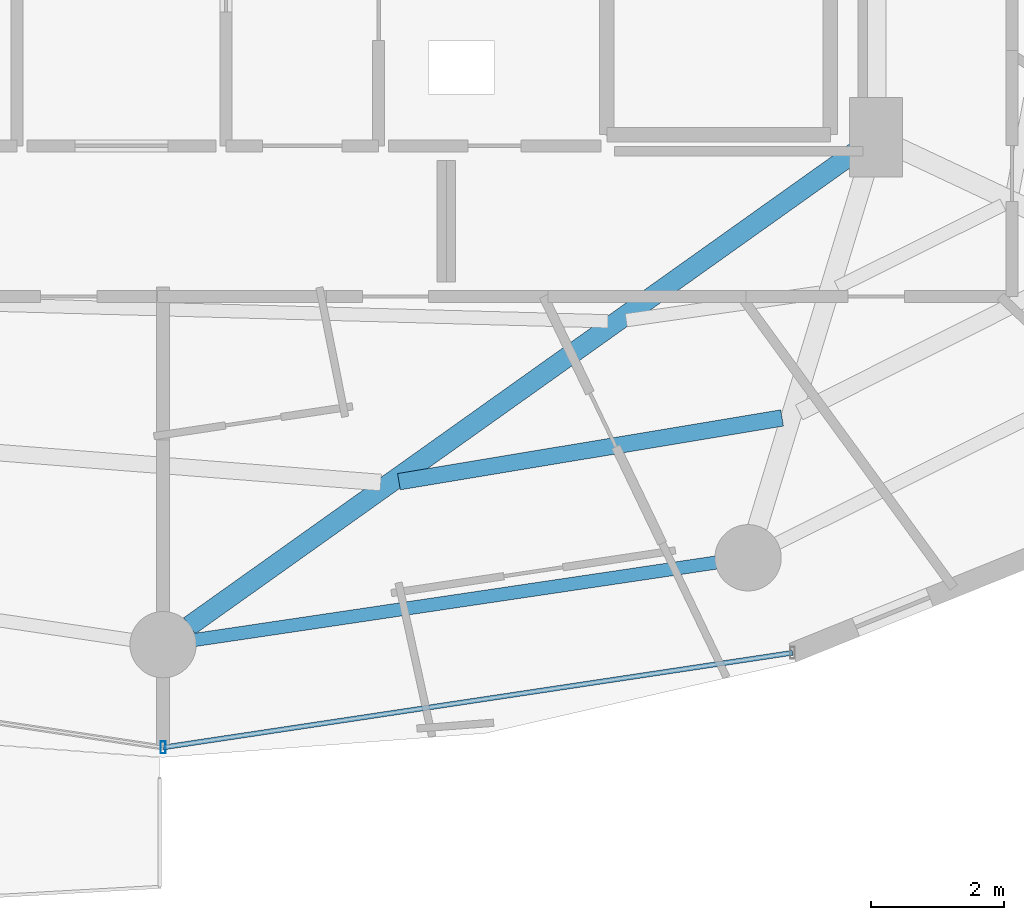
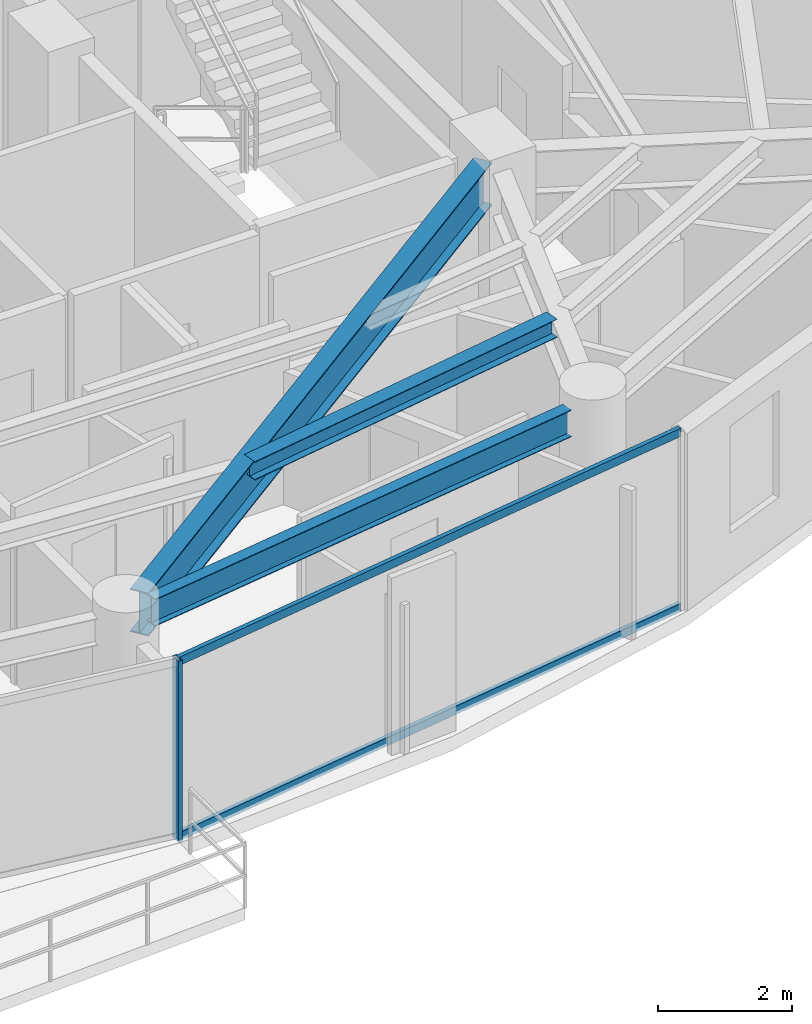
# One storey, part 5 of 28: 3 beams, 3 members, 1 element without a shape of its own.
"""IFC4 building model written with IfcOpenShell, lengths in metres."""

from ifc_helpers import new_model, si_unit, direction, frame, origin, origin_2d, place, context, subcontext, project, spatial, hollow_rectangle, i_section, extrude, material, material_profile, profile_set, type_object, element, aggregate, save


model = new_model("IFC4")

# Units and contexts
model_context = context("Model", 3, precision=1e-05, world=origin(), true_north=direction((0.0, 1.0)))
body_context = subcontext(model_context, "Body", "Model", "MODEL_VIEW")
ifc_project = project(units=[si_unit("LENGTHUNIT", "METRE"), si_unit("AREAUNIT", "SQUARE_METRE"), si_unit("VOLUMEUNIT", "CUBIC_METRE"), si_unit("PLANEANGLEUNIT", "RADIAN"), si_unit("MASSUNIT", "GRAM", prefix="KILO")], contexts=[model_context])

# Site, building, storey
site_placement = place(None, origin())
site = spatial("IfcSite", under=ifc_project, at=site_placement, CompositionType="ELEMENT")
building_placement = place(site_placement, origin())
building = spatial("IfcBuilding", under=site, at=building_placement, Name="Vorneva Point Tower", CompositionType="ELEMENT")
storey_placement = place(building_placement, frame((0.0, 0.0, 164.10009765625)))
storey = spatial("IfcBuildingStorey", under=building, at=storey_placement, Name="L44", CompositionType="ELEMENT", Elevation=164.10009765625)

# Beams
ifc_material_1 = material(Name="Steel S355", Category="steel")
ifc_material_profile_1 = material_profile(ifc_material_1, i_section(OverallWidth=0.300048828125, OverallDepth=0.7880859375, WebThickness=0.014404296875, FlangeThickness=0.02197265625, at=origin_2d()), Name="80Sh1")
ifc_profile_set_1 = profile_set([ifc_material_profile_1], Name="Steel S355")
beam_type_1 = type_object("IfcBeamType", Name="BM-GRD-80Sh1", PredefinedType="USERDEFINED", material=ifc_profile_set_1)
beam_1_placement = place(storey_placement, frame((38.397705078125, 9.0830078125, 2.845947265625), z_axis=(0.814751382529, 0.579810473057, 0.0), x_axis=(-0.579810473057, 0.814751382529, 0.0)))
element("IfcBeam", 1, at=beam_1_placement, inside=storey, type_object=beam_type_1, Name="L44 Radial Primary Girder 13", ObjectType="GIRDER", PredefinedType="USERDEFINED", context=body_context, shape_type="SweptSolid", body=[
    extrude(i_section(OverallWidth=0.300048828125, OverallDepth=0.7880859375, WebThickness=0.014404296875, FlangeThickness=0.02197265625, at=origin_2d()), origin(), (0.0, 0.0, 1.0), 12.365966796875),
])
ifc_material_profile_2 = material_profile(ifc_material_1, i_section(OverallWidth=0.2490234375, OverallDepth=0.333984375, WebThickness=0.008056640625, FlangeThickness=0.010986328125, at=origin_2d()), Name="35Sh1")
ifc_profile_set_2 = profile_set([ifc_material_profile_2], Name="Steel S355")
beam_type_2 = type_object("IfcBeamType", Name="BM-SEC-35Sh1", PredefinedType="BEAM", material=ifc_profile_set_2)
beam_2_placement = place(storey_placement, frame((41.556396484375, 11.256591796875, 3.072998046875), z_axis=(0.986432205362, 0.164169132986, 0.0), x_axis=(-0.164169132986, 0.986432205362, 0.0)))
element("IfcBeam", 2, at=beam_2_placement, inside=storey, type_object=beam_type_2, Name="L44 Secondary Floor Beam 1.13", PredefinedType="BEAM", context=body_context, shape_type="SweptSolid", body=[
    extrude(i_section(OverallWidth=0.2490234375, OverallDepth=0.333984375, WebThickness=0.008056640625, FlangeThickness=0.010986328125, at=origin_2d()), origin(), (0.0, 0.0, 1.0), 5.856201171875),
])
ifc_material_profile_3 = material_profile(ifc_material_1, i_section(OverallWidth=0.199951171875, OverallDepth=0.491943359375, WebThickness=0.0087890625, FlangeThickness=0.011962890625, at=origin_2d()), Name="50B1")
ifc_profile_set_3 = profile_set([ifc_material_profile_3], Name="Steel S355")
beam_type_3 = type_object("IfcBeamType", Name="BM-SPN-50B1", PredefinedType="SPANDREL", material=ifc_profile_set_3)
beam_3_placement = place(storey_placement, frame((38.479736328125, 8.87109375, 2.993896484375), z_axis=(0.989161199046, 0.146833655211, 0.0), x_axis=(-0.146833655211, 0.989161199046, 0.0)))
element("IfcBeam", 3, at=beam_3_placement, inside=storey, type_object=beam_type_3, Name="L44 Perimeter Spandrel Ring Beam 13", PredefinedType="SPANDREL", context=body_context, shape_type="SweptSolid", body=[
    extrude(i_section(OverallWidth=0.199951171875, OverallDepth=0.491943359375, WebThickness=0.0087890625, FlangeThickness=0.011962890625, at=origin_2d()), origin(), (0.0, 0.0, 1.0), 7.94775390625),
])

# Curtain wall, members
ifc_material_2 = material(Name="Pale anodised aluminium", Category="aluminium")
curtain_wall_type = type_object("IfcCurtainWallType", Name="CW-RES-SYS", PredefinedType="NOTDEFINED", material=ifc_material_2)
curtain_wall_placement = place(storey_placement, origin())
curtain_wall = element("IfcCurtainWall", 4, at=curtain_wall_placement, inside=storey, type_object=curtain_wall_type, Name="L44 Unitised Curtain Wall CW-L44-R04", PredefinedType="NOTDEFINED")
ifc_material_profile_4 = material_profile(ifc_material_2, hollow_rectangle(XDim=0.074951171875, YDim=0.179931640625, WallThickness=0.00390625, at=origin_2d()), Name="AL-MUL 180x75x4")
ifc_profile_set_4 = profile_set([ifc_material_profile_4], Name="Pale anodised aluminium")
member_type_1 = type_object("IfcMemberType", Name="CW-MUL-180", PredefinedType="MULLION", material=ifc_profile_set_4)
member_1_placement = place(storey_placement, frame((38.0, 7.25, -0.0400390625), z_axis=(0.0, 0.0, 1.0), x_axis=(1.0, 0.0, 0.0)))
member_1 = element("IfcMember", 5, at=member_1_placement, type_object=member_type_1, Name="CW-L44-R04 Mullion 02", PredefinedType="MULLION", context=body_context, shape_type="SweptSolid", body=[
    extrude(hollow_rectangle(XDim=0.074951171875, YDim=0.179931640625, WallThickness=0.00390625, at=origin_2d()), origin(), (0.0, 0.0, 1.0), 3.31005859375),
])
ifc_material_profile_5 = material_profile(ifc_material_2, hollow_rectangle(XDim=0.074951171875, YDim=0.14990234375, WallThickness=0.00390625, at=origin_2d()), Name="AL-TRN 150x75x4")
ifc_profile_set_5 = profile_set([ifc_material_profile_5], Name="Pale anodised aluminium")
member_type_2 = type_object("IfcMemberType", Name="CW-TRN-150", PredefinedType="USERDEFINED", material=ifc_profile_set_5)
member_2_placement = place(storey_placement, frame((38.0, 7.25, 0.02001953125), z_axis=(0.988880117727, 0.148714870687, 0.0), x_axis=(-0.148714870687, 0.988880117727, 0.0)))
member_2 = element("IfcMember", 6, at=member_2_placement, type_object=member_type_2, Name="CW-L44-R04 Transom 02.1", ObjectType="TRANSOM", PredefinedType="USERDEFINED", context=body_context, shape_type="SweptSolid", body=[
    extrude(hollow_rectangle(XDim=0.074951171875, YDim=0.14990234375, WallThickness=0.00390625, at=origin_2d()), origin(), (0.0, 0.0, 1.0), 9.59716796875),
])
member_3_placement = place(storey_placement, frame((38.0, 7.25, 3.219970703125), z_axis=(0.988880117727, 0.148714870687, 0.0), x_axis=(-0.148714870687, 0.988880117727, 0.0)))
member_3 = element("IfcMember", 7, at=member_3_placement, type_object=member_type_2, Name="CW-L44-R04 Transom 02.2", ObjectType="TRANSOM", PredefinedType="USERDEFINED", context=body_context, shape_type="SweptSolid", body=[
    extrude(hollow_rectangle(XDim=0.074951171875, YDim=0.14990234375, WallThickness=0.00390625, at=origin_2d()), origin(), (0.0, 0.0, 1.0), 9.59716796875),
])
aggregate(curtain_wall, [member_1, member_2, member_3])

save(model, "model.ifc")
